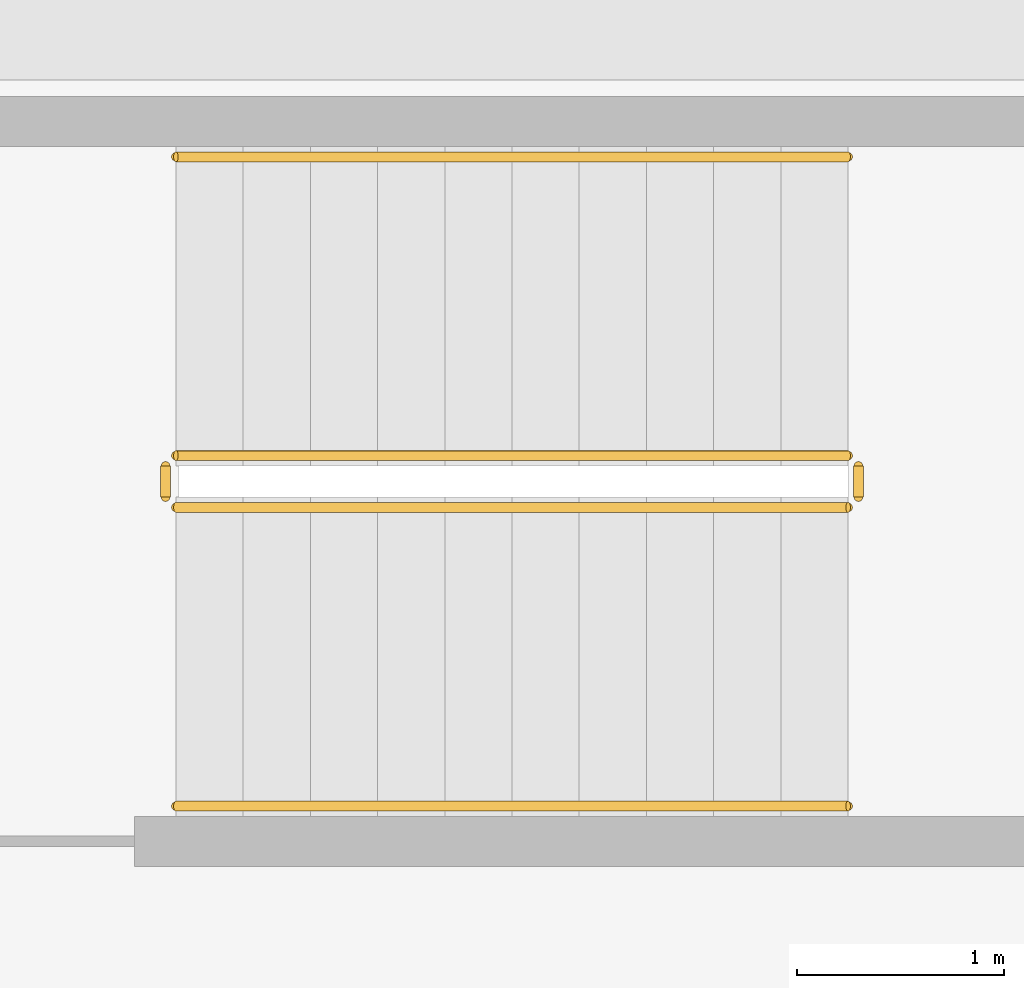
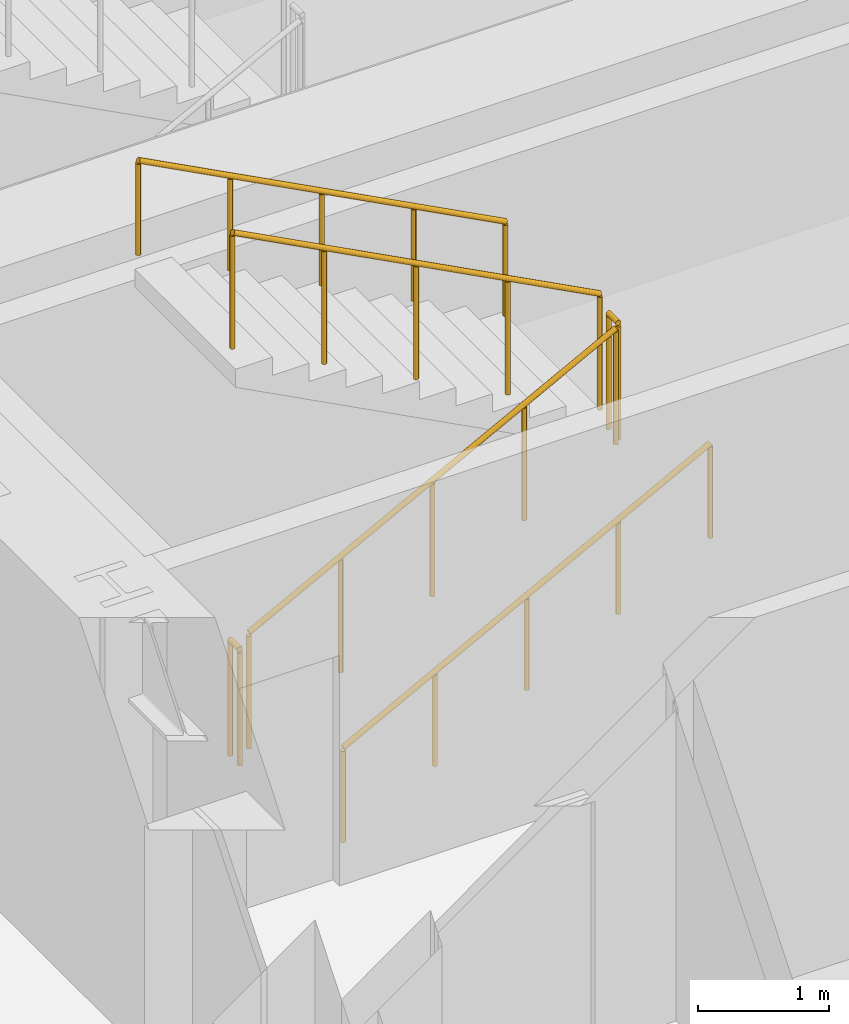
# One storey, part 12 of 15: 6 railings.
"""IFC4 building model written with IfcOpenShell, lengths in metres."""

import ifcopenshell
import ifcopenshell.guid

model = None  # the IFC model being written
_history = None  # IfcOwnerHistory: only IFC2X3 demands one
_inside = {}  # id of a spatial element -> (the spatial element, [elements in it])
_under = {}  # id of a project, library or spatial element -> (it, [spatial elements below it])
_declared = {}  # id of a project -> (the project, [libraries it declares])
_typed = {}  # id of a type object -> (the type object, [elements of that type])
_made_of = {}  # id of a material, layer set ... -> (it, [elements and type objects made of it])


def new_model(schema):
    """Start an empty IFC model of exactly this schema.

    Asked for "IFC4X3", IfcOpenShell would pick the latest addendum, in which some entities
    have other attributes; the version numbers below select the first issue.
    IFC2X3 requires an IfcOwnerHistory on every rooted entity: one is made here for all.
    """
    global model, _history
    if schema == "IFC4X3":
        model = ifcopenshell.file(schema_version=(4, 3, 0, 0))
    else:
        model = ifcopenshell.file(schema=schema)
    _inside.clear()
    _under.clear()
    _declared.clear()
    _typed.clear()
    _made_of.clear()
    _history = None
    if model.schema == "IFC2X3":
        org = make("IfcOrganization", Name="unknown")
        user = make(
            "IfcPersonAndOrganization",
            ThePerson=make("IfcPerson", FamilyName="unknown"),
            TheOrganization=org,
        )
        app = make(
            "IfcApplication",
            ApplicationDeveloper=org,
            Version="unknown",
            ApplicationFullName="unknown",
            ApplicationIdentifier="unknown",
        )
        _history = make(
            "IfcOwnerHistory",
            OwningUser=user,
            OwningApplication=app,
            ChangeAction="ADDED",
            CreationDate=0,
        )
    return model


def make(cls, **values):
    """One entity of the class cls with the attributes given. An attribute that is None is left unset."""
    return model.create_entity(
        cls, **{name: value for name, value in values.items() if value is not None}
    )


def rooted(cls, **values):
    """An entity with a GlobalId (a new one), such as an element, a storey or a relation."""
    return make(cls, GlobalId=ifcopenshell.guid.new(), OwnerHistory=_history, **values)


def si_unit(unit_type, name, prefix=None):
    """IfcSIUnit, for example si_unit("LENGTHUNIT", "METRE", prefix="MILLI")."""
    return make("IfcSIUnit", UnitType=unit_type, Prefix=prefix, Name=name)


def assignment(units):
    """IfcUnitAssignment: the units of a project."""
    return None if units is None else make("IfcUnitAssignment", Units=units)


def point(xyz):
    """IfcCartesianPoint."""
    return None if xyz is None else make("IfcCartesianPoint", Coordinates=xyz)


def direction(xyz):
    """IfcDirection."""
    return None if xyz is None else make("IfcDirection", DirectionRatios=xyz)


def frame(location, z_axis=None, x_axis=None):
    """IfcAxis2Placement3D, a coordinate frame: its origin and axes. An axis left out is left unset."""
    return make(
        "IfcAxis2Placement3D",
        Location=point(location),
        Axis=direction(z_axis),
        RefDirection=direction(x_axis),
    )


def frame_2d(location, x_axis=None):
    """IfcAxis2Placement2D, a coordinate frame in the plane: its origin and x axis."""
    return make(
        "IfcAxis2Placement2D", Location=point(location), RefDirection=direction(x_axis)
    )


def origin():
    """The frame at (0, 0, 0) with its axes left unset."""
    return frame((0.0, 0.0, 0.0))


def origin_2d():
    """The frame at (0, 0) in the plane with its x axis left unset."""
    return frame_2d((0.0, 0.0))


def place(relative_to, where):
    """IfcLocalPlacement: puts the frame where relative to a parent placement (None: the world)."""
    return make(
        "IfcLocalPlacement", PlacementRelTo=relative_to, RelativePlacement=where
    )


def context(
    kind, dimensions, precision=None, world=None, true_north=None, identifier=None
):
    """IfcGeometricRepresentationContext, for example the 3D "Model" context."""
    return make(
        "IfcGeometricRepresentationContext",
        ContextIdentifier=identifier,
        ContextType=kind,
        CoordinateSpaceDimension=dimensions,
        Precision=precision,
        WorldCoordinateSystem=world,
        TrueNorth=true_north,
    )


def subcontext(parent, identifier, kind, view, scale=None):
    """IfcGeometricRepresentationSubContext, for example "Body" below "Model"."""
    return make(
        "IfcGeometricRepresentationSubContext",
        ContextIdentifier=identifier,
        ContextType=kind,
        ParentContext=parent,
        TargetScale=scale,
        TargetView=view,
    )


def project(units=None, contexts=None):
    """IfcProject with its units and contexts."""
    return rooted(
        "IfcProject",
        Name="project",
        RepresentationContexts=contexts,
        UnitsInContext=assignment(units),
    )


def spatial(cls, under=None, at=None, **own):
    """A site, building, storey or space (cls), placed at a placement, below another one or the project."""
    s = rooted(cls, ObjectPlacement=at, **own)
    if under is not None:
        _under.setdefault(under.id(), (under, []))[1].append(s)
    return s


def profile(cls, at=None, kind="AREA", **sizes):
    """A parametric profile (cls). Its sizes go by their IFC names, for example OverallWidth=200.0."""
    return make(cls, ProfileType=kind, Position=at, **sizes)


def circle(**sizes):
    """IfcCircleProfileDef."""
    return profile("IfcCircleProfileDef", **sizes)


def extrude(swept, where, along, depth):
    """IfcExtrudedAreaSolid: the profile swept, set in the frame where, extruded along a direction by depth."""
    return make(
        "IfcExtrudedAreaSolid",
        SweptArea=swept,
        Position=where,
        ExtrudedDirection=direction(along),
        Depth=depth,
    )


def shape(context_of_items, identifier, shape_type, items):
    """IfcShapeRepresentation: the items that make up one representation, for example the "Body"."""
    return make(
        "IfcShapeRepresentation",
        ContextOfItems=context_of_items,
        RepresentationIdentifier=identifier,
        RepresentationType=shape_type,
        Items=items,
    )


def material(Name=None, Category=None):
    """IfcMaterial."""
    return make("IfcMaterial", Name=Name, Category=Category)


def made_of(thing, what):
    """Note that an element or type object is made of a material, layer set ...; save() writes the relation."""
    if what is not None:
        _made_of.setdefault(what.id(), (what, []))[1].append(thing)
    return thing


def type_object(cls, material=None, **own):
    """A type object (cls), such as IfcWallType, which elements share."""
    return made_of(rooted(cls, **own), material)


def element(
    cls,
    number,
    at=None,
    inside=None,
    cuts=None,
    type_object=None,
    material=None,
    context=None,
    identifier="Body",
    shape_type=None,
    held_by="IfcProductDefinitionShape",
    body=None,
    shapes=None,
    **own,
):
    """One element of the class cls, such as IfcWall. Its Tag is "e" and its number.

    at: its placement. inside: the storey or other place that contains it. cuts: it is an
    opening in that element (IfcRelVoidsElement). A single representation is given by context,
    identifier, shape_type and body (its items); several are given by shapes. held_by: the class
    of the entity that holds the representations. save() writes the other relations.
    """
    e = rooted(cls, Tag="e%d" % number, ObjectPlacement=at, **own)
    if body is not None:
        shapes = [shape(context, identifier, shape_type, body)]
    if shapes is not None:
        e.Representation = make(held_by, Representations=shapes)
    if inside is not None:
        _inside.setdefault(inside.id(), (inside, []))[1].append(e)
    if cuts is not None:
        rooted(
            "IfcRelVoidsElement", RelatingBuildingElement=cuts, RelatedOpeningElement=e
        )
    if type_object is not None:
        _typed.setdefault(type_object.id(), (type_object, []))[1].append(e)
    return made_of(e, material)


def aggregate(whole, parts):
    """IfcRelAggregates: a whole, such as a stair, and the parts it consists of."""
    return rooted("IfcRelAggregates", RelatingObject=whole, RelatedObjects=parts)


def save(model, path):
    """Write the relations noted so far, then the file.

    IfcRelAggregates (storeys below a building ...), IfcRelContainedInSpatialStructure (elements
    in a storey), IfcRelDefinesByType, IfcRelAssociatesMaterial and IfcRelDeclares: one each for
    every whole, place, type object, material and project.
    """
    for whole, parts in _under.values():
        aggregate(whole, parts)
    for where, things in _inside.values():
        rooted(
            "IfcRelContainedInSpatialStructure",
            RelatedElements=things,
            RelatingStructure=where,
        )
    for kind, things in _typed.values():
        rooted("IfcRelDefinesByType", RelatedObjects=things, RelatingType=kind)
    for what, things in _made_of.values():
        rooted("IfcRelAssociatesMaterial", RelatedObjects=things, RelatingMaterial=what)
    for by, libraries in _declared.values():
        rooted("IfcRelDeclares", RelatingContext=by, RelatedDefinitions=libraries)
    model.write(path)


model = new_model("IFC4")

# Units and contexts
model_context = context("Model", 3, precision=1e-05, world=origin(), true_north=direction((0.0, 1.0)))
body_context = subcontext(model_context, "Body", "Model", "MODEL_VIEW")
ifc_project = project(units=[si_unit("LENGTHUNIT", "METRE"), si_unit("AREAUNIT", "SQUARE_METRE"), si_unit("VOLUMEUNIT", "CUBIC_METRE"), si_unit("PLANEANGLEUNIT", "RADIAN"), si_unit("MASSUNIT", "GRAM", prefix="KILO")], contexts=[model_context])

# Site, building, storey
site_placement = place(None, origin())
site = spatial("IfcSite", under=ifc_project, at=site_placement, CompositionType="ELEMENT")
building_placement = place(site_placement, origin())
building = spatial("IfcBuilding", under=site, at=building_placement, Name="Kolvaren Arena Tower", CompositionType="ELEMENT")
storey_placement = place(building_placement, frame((0.0, 0.0, 64.5)))
storey = spatial("IfcBuildingStorey", under=building, at=storey_placement, Name="L13", CompositionType="ELEMENT", Elevation=64.5)

# Railings
ifc_material_1 = material(Name="Painted galvanized steel", Category="steel")
railing_type_1 = type_object("IfcRailingType", Name="GUARD-ST-110", PredefinedType="GUARDRAIL", material=ifc_material_1)
railing_1_placement = place(storey_placement, frame((52.719970703125, 31.639892578125, 0.17041015625)))
element("IfcRailing", 1, at=railing_1_placement, inside=storey, type_object=railing_type_1, Name="L13 ST-E1 stair guard 1", PredefinedType="GUARDRAIL", context=body_context, shape_type="SweptSolid", body=[
    extrude(circle(Radius=0.02392578125, at=origin_2d()), frame((0.0, 0.0, 1.076171875), z_axis=(0.884993431791, 0.0, 0.465603506952), x_axis=(0.0, 1.0, 0.0)), (0.0, 0.0, 1.0), 3.6611328125),
    extrude(circle(Radius=0.02099609375, at=origin_2d()), origin(), (0.0, 0.0, 1.0), 1.052001953125),
    extrude(circle(Radius=0.02099609375, at=origin_2d()), frame((0.81005859375, 0.0, 0.42626953125)), (0.0, 0.0, 1.0), 1.052001953125),
    extrude(circle(Radius=0.02099609375, at=origin_2d()), frame((1.6201171875, 0.0, 0.852294921875)), (0.0, 0.0, 1.0), 1.052001953125),
    extrude(circle(Radius=0.02099609375, at=origin_2d()), frame((2.429931640625, 0.0, 1.2783203125)), (0.0, 0.0, 1.0), 1.052001953125),
    extrude(circle(Radius=0.02099609375, at=origin_2d()), frame((3.239990234375, 0.0, 1.70458984375)), (0.0, 0.0, 1.0), 1.052001953125),
])
railing_2_placement = place(storey_placement, frame((56.010009765625, 31.68994140625, 1.875)))
element("IfcRailing", 2, at=railing_2_placement, inside=storey, type_object=railing_type_1, Name="L13 ST-E1 stair guard 2", PredefinedType="GUARDRAIL", context=body_context, shape_type="SweptSolid", body=[
    extrude(circle(Radius=0.02392578125, at=origin_2d()), frame((0.0, 0.0, 1.076171875), z_axis=(0.0, 1.0, 0.0), x_axis=(-1.0, 0.0, 0.0)), (0.0, 0.0, 1.0), 0.150146484375),
    extrude(circle(Radius=0.02099609375, at=origin_2d()), origin(), (0.0, 0.0, 1.0), 1.052001953125),
    extrude(circle(Radius=0.02099609375, at=origin_2d()), frame((0.0, 0.150146484375, 0.0)), (0.0, 0.0, 1.0), 1.052001953125),
])
railing_3_placement = place(storey_placement, frame((55.9599609375, 31.889892578125, 2.04541015625)))
element("IfcRailing", 3, at=railing_3_placement, inside=storey, type_object=railing_type_1, Name="L13 ST-E1 stair guard 3", PredefinedType="GUARDRAIL", context=body_context, shape_type="SweptSolid", body=[
    extrude(circle(Radius=0.02392578125, at=origin_2d()), frame((0.0, 0.0, 1.076171875), z_axis=(-0.884993431791, 0.0, 0.465603506952), x_axis=(0.0, -1.0, 0.0)), (0.0, 0.0, 1.0), 3.6611328125),
    extrude(circle(Radius=0.02099609375, at=origin_2d()), origin(), (0.0, 0.0, 1.0), 1.052001953125),
    extrude(circle(Radius=0.02099609375, at=origin_2d()), frame((-0.81005859375, 0.0, 0.42626953125)), (0.0, 0.0, 1.0), 1.052001953125),
    extrude(circle(Radius=0.02099609375, at=origin_2d()), frame((-1.6201171875, 0.0, 0.852294921875)), (0.0, 0.0, 1.0), 1.052001953125),
    extrude(circle(Radius=0.02099609375, at=origin_2d()), frame((-2.429931640625, 0.0, 1.2783203125)), (0.0, 0.0, 1.0), 1.052001953125),
    extrude(circle(Radius=0.02099609375, at=origin_2d()), frame((-3.239990234375, 0.0, 1.70458984375)), (0.0, 0.0, 1.0), 1.052001953125),
])
railing_4_placement = place(storey_placement, frame((52.669921875, 31.68994140625, 0.0)))
element("IfcRailing", 4, at=railing_4_placement, inside=storey, type_object=railing_type_1, Name="L13 ST-E1 stair guard 4", PredefinedType="GUARDRAIL", context=body_context, shape_type="SweptSolid", body=[
    extrude(circle(Radius=0.02392578125, at=origin_2d()), frame((0.0, 0.0, 1.076171875), z_axis=(0.0, 1.0, 0.0), x_axis=(-1.0, 0.0, 0.0)), (0.0, 0.0, 1.0), 0.150146484375),
    extrude(circle(Radius=0.02099609375, at=origin_2d()), origin(), (0.0, 0.0, 1.0), 1.052001953125),
    extrude(circle(Radius=0.02099609375, at=origin_2d()), frame((0.0, 0.150146484375, 0.0)), (0.0, 0.0, 1.0), 1.052001953125),
])
ifc_material_2 = material(Name="Brushed stainless steel handrail", Category="steel")
railing_type_2 = type_object("IfcRailingType", Name="HRAIL-900", PredefinedType="HANDRAIL", material=ifc_material_2)
railing_5_placement = place(storey_placement, frame((52.719970703125, 30.199951171875, 0.17041015625)))
element("IfcRailing", 5, at=railing_5_placement, inside=storey, type_object=railing_type_2, Name="L13 ST-E1 stair handrail 1", PredefinedType="HANDRAIL", context=body_context, shape_type="SweptSolid", body=[
    extrude(circle(Radius=0.02392578125, at=origin_2d()), frame((0.0, 0.0, 0.8759765625), z_axis=(0.884993431791, 0.0, 0.465603506952), x_axis=(0.0, 1.0, 0.0)), (0.0, 0.0, 1.0), 3.6611328125),
    extrude(circle(Radius=0.02099609375, at=origin_2d()), origin(), (0.0, 0.0, 1.0), 0.851806640625),
    extrude(circle(Radius=0.02099609375, at=origin_2d()), frame((0.81005859375, 0.0, 0.42626953125)), (0.0, 0.0, 1.0), 0.851806640625),
    extrude(circle(Radius=0.02099609375, at=origin_2d()), frame((1.6201171875, 0.0, 0.852294921875)), (0.0, 0.0, 1.0), 0.851806640625),
    extrude(circle(Radius=0.02099609375, at=origin_2d()), frame((2.429931640625, 0.0, 1.2783203125)), (0.0, 0.0, 1.0), 0.851806640625),
    extrude(circle(Radius=0.02099609375, at=origin_2d()), frame((3.239990234375, 0.0, 1.70458984375)), (0.0, 0.0, 1.0), 0.851806640625),
])
railing_6_placement = place(storey_placement, frame((55.9599609375, 33.330078125, 2.04541015625)))
element("IfcRailing", 6, at=railing_6_placement, inside=storey, type_object=railing_type_2, Name="L13 ST-E1 stair handrail 2", PredefinedType="HANDRAIL", context=body_context, shape_type="SweptSolid", body=[
    extrude(circle(Radius=0.02392578125, at=origin_2d()), frame((0.0, 0.0, 0.8759765625), z_axis=(-0.884993431791, 0.0, 0.465603506952), x_axis=(0.0, -1.0, 0.0)), (0.0, 0.0, 1.0), 3.6611328125),
    extrude(circle(Radius=0.02099609375, at=origin_2d()), origin(), (0.0, 0.0, 1.0), 0.851806640625),
    extrude(circle(Radius=0.02099609375, at=origin_2d()), frame((-0.81005859375, 0.0, 0.42626953125)), (0.0, 0.0, 1.0), 0.851806640625),
    extrude(circle(Radius=0.02099609375, at=origin_2d()), frame((-1.6201171875, 0.0, 0.852294921875)), (0.0, 0.0, 1.0), 0.851806640625),
    extrude(circle(Radius=0.02099609375, at=origin_2d()), frame((-2.429931640625, 0.0, 1.2783203125)), (0.0, 0.0, 1.0), 0.851806640625),
    extrude(circle(Radius=0.02099609375, at=origin_2d()), frame((-3.239990234375, 0.0, 1.70458984375)), (0.0, 0.0, 1.0), 0.851806640625),
])

save(model, "model.ifc")
